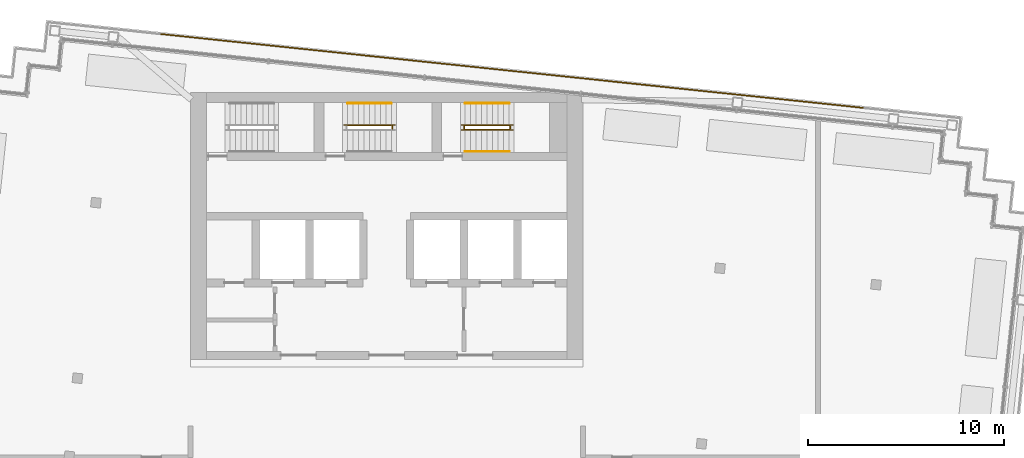
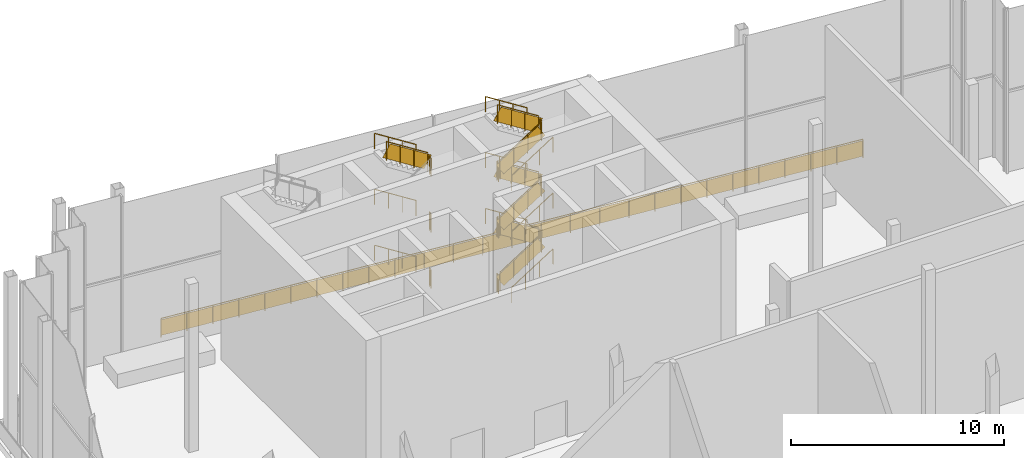
# One storey, part 13 of 14: 28 railings.
"""IFC4 building model written with IfcOpenShell, lengths in metres."""

from ifc_helpers import new_model, si_unit, direction, frame, origin, origin_2d, place, context, subcontext, project, spatial, rectangle, circle, extrude, material, type_object, element, save


model = new_model("IFC4")

# Units and contexts
model_context = context("Model", 3, precision=1e-05, world=origin(), true_north=direction((0.0, 1.0)))
body_context = subcontext(model_context, "Body", "Model", "MODEL_VIEW")
ifc_project = project(units=[si_unit("LENGTHUNIT", "METRE"), si_unit("AREAUNIT", "SQUARE_METRE"), si_unit("VOLUMEUNIT", "CUBIC_METRE"), si_unit("PLANEANGLEUNIT", "RADIAN"), si_unit("MASSUNIT", "GRAM", prefix="KILO")], contexts=[model_context])

# Site, building, storey
site_placement = place(None, origin())
site = spatial("IfcSite", under=ifc_project, at=site_placement, CompositionType="ELEMENT")
building_placement = place(site_placement, origin())
building = spatial("IfcBuilding", under=site, at=building_placement, Name="Vidyagriha Tower", CompositionType="ELEMENT")
storey_placement = place(building_placement, frame((0.0, 0.0, 281.89990234375)))
storey = spatial("IfcBuildingStorey", under=building, at=storey_placement, Name="L74", CompositionType="ELEMENT", Elevation=281.89990234375)

# Railings
ifc_material_1 = material(Name="Steel ASTM A500 Grade C black painted", Category="steel")
railing_type_1 = type_object("IfcRailingType", Name="Gallery guard 1100", PredefinedType="GUARDRAIL", material=ifc_material_1)
railing_1_placement = place(storey_placement, frame((-11.513916015625, 22.990234375, 0.0)))
element("IfcRailing", 1, at=railing_1_placement, inside=storey, type_object=railing_type_1, Name="Gallery guard L74 10", PredefinedType="GUARDRAIL", context=body_context, shape_type="SweptSolid", body=[
    extrude(circle(Radius=0.02490234375, at=origin_2d()), frame((0.0, 0.0, 1.0751953125), z_axis=(0.994521494219, -0.104532279878, 0.0), x_axis=(0.104532279878, 0.994521494219, 0.0)), (0.0, 0.0, 1.0), 12.0),
    extrude(circle(Radius=0.02001953125, at=origin_2d()), origin(), (0.0, 0.0, 1.0), 1.050048828125),
    extrude(circle(Radius=0.02001953125, at=origin_2d()), frame((1.325927734375, -0.139404296875, 0.0)), (0.0, 0.0, 1.0), 1.050048828125),
    extrude(circle(Radius=0.02001953125, at=origin_2d()), frame((2.652099609375, -0.27880859375, 0.0)), (0.0, 0.0, 1.0), 1.050048828125),
    extrude(circle(Radius=0.02001953125, at=origin_2d()), frame((3.97802734375, -0.418212890625, 0.0)), (0.0, 0.0, 1.0), 1.050048828125),
    extrude(circle(Radius=0.02001953125, at=origin_2d()), frame((5.30419921875, -0.5576171875, 0.0)), (0.0, 0.0, 1.0), 1.050048828125),
    extrude(circle(Radius=0.02001953125, at=origin_2d()), frame((6.630126953125, -0.69677734375, 0.0)), (0.0, 0.0, 1.0), 1.050048828125),
    extrude(circle(Radius=0.02001953125, at=origin_2d()), frame((7.956298828125, -0.836181640625, 0.0)), (0.0, 0.0, 1.0), 1.050048828125),
    extrude(circle(Radius=0.02001953125, at=origin_2d()), frame((9.2822265625, -0.9755859375, 0.0)), (0.0, 0.0, 1.0), 1.050048828125),
    extrude(circle(Radius=0.02001953125, at=origin_2d()), frame((10.6083984375, -1.114990234375, 0.0)), (0.0, 0.0, 1.0), 1.050048828125),
    extrude(circle(Radius=0.02001953125, at=origin_2d()), frame((11.934326171875, -1.25439453125, 0.0)), (0.0, 0.0, 1.0), 1.050048828125),
    extrude(rectangle(XDim=0.010009765625, YDim=0.900146484375, at=origin_2d()), frame((0.0, 0.0, 0.550048828125), z_axis=(0.994521494219, -0.104532279878, 0.0), x_axis=(0.104532279878, 0.994521494219, 0.0)), (0.0, 0.0, 1.0), 12.0),
])
railing_2_placement = place(storey_placement, frame((0.42041015625, 21.73583984375, 0.0)))
element("IfcRailing", 2, at=railing_2_placement, inside=storey, type_object=railing_type_1, Name="Gallery guard L74 11", PredefinedType="GUARDRAIL", context=body_context, shape_type="SweptSolid", body=[
    extrude(circle(Radius=0.02490234375, at=origin_2d()), frame((0.0, 0.0, 1.0751953125), z_axis=(0.994523386841, -0.104514271883, 0.0), x_axis=(0.104514271883, 0.994523386841, 0.0)), (0.0, 0.0, 1.0), 11.999755859375),
    extrude(circle(Radius=0.02001953125, at=origin_2d()), origin(), (0.0, 0.0, 1.0), 1.050048828125),
    extrude(circle(Radius=0.02001953125, at=origin_2d()), frame((1.49169921875, -0.15673828125, 0.0)), (0.0, 0.0, 1.0), 1.050048828125),
    extrude(circle(Radius=0.02001953125, at=origin_2d()), frame((2.9833984375, -0.3134765625, 0.0)), (0.0, 0.0, 1.0), 1.050048828125),
    extrude(circle(Radius=0.02001953125, at=origin_2d()), frame((4.475341796875, -0.47021484375, 0.0)), (0.0, 0.0, 1.0), 1.050048828125),
    extrude(circle(Radius=0.02001953125, at=origin_2d()), frame((5.967041015625, -0.626953125, 0.0)), (0.0, 0.0, 1.0), 1.050048828125),
    extrude(circle(Radius=0.02001953125, at=origin_2d()), frame((7.458740234375, -0.783935546875, 0.0)), (0.0, 0.0, 1.0), 1.050048828125),
    extrude(circle(Radius=0.02001953125, at=origin_2d()), frame((8.95068359375, -0.940673828125, 0.0)), (0.0, 0.0, 1.0), 1.050048828125),
    extrude(circle(Radius=0.02001953125, at=origin_2d()), frame((10.4423828125, -1.097412109375, 0.0)), (0.0, 0.0, 1.0), 1.050048828125),
    extrude(circle(Radius=0.02001953125, at=origin_2d()), frame((11.93408203125, -1.254150390625, 0.0)), (0.0, 0.0, 1.0), 1.050048828125),
    extrude(rectangle(XDim=0.010009765625, YDim=0.900146484375, at=origin_2d()), frame((0.0, 0.0, 0.550048828125), z_axis=(0.994523386841, -0.104514271883, 0.0), x_axis=(0.104514271883, 0.994523386841, 0.0)), (0.0, 0.0, 1.0), 11.999755859375),
])
railing_3_placement = place(storey_placement, frame((12.3544921875, 20.481689453125, 0.0)))
element("IfcRailing", 3, at=railing_3_placement, inside=storey, type_object=railing_type_1, Name="Gallery guard L74 12", PredefinedType="GUARDRAIL", context=body_context, shape_type="SweptSolid", body=[
    extrude(circle(Radius=0.02490234375, at=origin_2d()), frame((0.0, 0.0, 1.0751953125), z_axis=(0.994521494219, -0.104532279878, 0.0), x_axis=(0.104532279878, 0.994521494219, 0.0)), (0.0, 0.0, 1.0), 12.0),
    extrude(circle(Radius=0.02001953125, at=origin_2d()), origin(), (0.0, 0.0, 1.0), 1.050048828125),
    extrude(circle(Radius=0.02001953125, at=origin_2d()), frame((1.325927734375, -0.139404296875, 0.0)), (0.0, 0.0, 1.0), 1.050048828125),
    extrude(circle(Radius=0.02001953125, at=origin_2d()), frame((2.652099609375, -0.27880859375, 0.0)), (0.0, 0.0, 1.0), 1.050048828125),
    extrude(circle(Radius=0.02001953125, at=origin_2d()), frame((3.97802734375, -0.418212890625, 0.0)), (0.0, 0.0, 1.0), 1.050048828125),
    extrude(circle(Radius=0.02001953125, at=origin_2d()), frame((5.30419921875, -0.5576171875, 0.0)), (0.0, 0.0, 1.0), 1.050048828125),
    extrude(circle(Radius=0.02001953125, at=origin_2d()), frame((6.630126953125, -0.69677734375, 0.0)), (0.0, 0.0, 1.0), 1.050048828125),
    extrude(circle(Radius=0.02001953125, at=origin_2d()), frame((7.956298828125, -0.836181640625, 0.0)), (0.0, 0.0, 1.0), 1.050048828125),
    extrude(circle(Radius=0.02001953125, at=origin_2d()), frame((9.2822265625, -0.9755859375, 0.0)), (0.0, 0.0, 1.0), 1.050048828125),
    extrude(circle(Radius=0.02001953125, at=origin_2d()), frame((10.6083984375, -1.114990234375, 0.0)), (0.0, 0.0, 1.0), 1.050048828125),
    extrude(circle(Radius=0.02001953125, at=origin_2d()), frame((11.934326171875, -1.25439453125, 0.0)), (0.0, 0.0, 1.0), 1.050048828125),
    extrude(rectangle(XDim=0.010009765625, YDim=0.900146484375, at=origin_2d()), frame((0.0, 0.0, 0.550048828125), z_axis=(0.994521494219, -0.104532279878, 0.0), x_axis=(0.104532279878, 0.994521494219, 0.0)), (0.0, 0.0, 1.0), 12.0),
])
ifc_material_2 = material(Name="Steel ASTM A500 Grade C", Category="steel")
railing_type_2 = type_object("IfcRailingType", Name="Stair guard 1100 mm, steel balustrade", PredefinedType="GUARDRAIL", material=ifc_material_2)
for number, where, name in (
    (4, (0.2900390625, 18.14990234375, 1.60009765625), "L74 ST2 stair guard 2"),
    (5, (0.2900390625, 18.14990234375, 4.800048828125), "L74 ST2 stair guard 6"),
    (6, (0.2900390625, 18.14990234375, 8.0), "L74 ST2 stair guard 10"),
):
    element("IfcRailing", number, at=place(storey_placement, frame(where)), inside=storey, type_object=railing_type_2, Name=name, PredefinedType="GUARDRAIL", context=body_context, shape_type="SweptSolid", body=[
        extrude(circle(Radius=0.02392578125, at=origin_2d()), frame((0.0, 0.0, 1.076171875), z_axis=(0.0, 1.0, 0.0), x_axis=(-1.0, 0.0, 0.0)), (0.0, 0.0, 1.0), 0.150146484375),
        extrude(circle(Radius=0.02099609375, at=origin_2d()), origin(), (0.0, 0.0, 1.0), 1.052001953125),
        extrude(circle(Radius=0.02099609375, at=origin_2d()), frame((0.0, 0.150146484375, 0.0)), (0.0, 0.0, 1.0), 1.052001953125),
        extrude(rectangle(XDim=0.010009765625, YDim=0.902099609375, at=origin_2d()), frame((0.0, 0.0, 0.551025390625), z_axis=(0.0, 1.0, 0.0), x_axis=(-1.0, 0.0, 0.0)), (0.0, 0.0, 1.0), 0.150146484375),
    ])
railing_4_placement = place(storey_placement, frame((0.239990234375, 18.35009765625, 8.177978515625)))
element("IfcRailing", 7, at=railing_4_placement, inside=storey, type_object=railing_type_2, Name="L74 ST2 stair guard 11", PredefinedType="GUARDRAIL", context=body_context, shape_type="SweptSolid", body=[
    extrude(circle(Radius=0.02392578125, at=origin_2d()), frame((0.0, 0.0, 1.076171875), z_axis=(-0.8442293374, 0.0, 0.53598211339), x_axis=(0.0, -1.0, 0.0)), (0.0, 0.0, 1.0), 2.6533203125),
    extrude(circle(Radius=0.02099609375, at=origin_2d()), origin(), (0.0, 0.0, 1.0), 1.052001953125),
    extrude(circle(Radius=0.02099609375, at=origin_2d()), frame((-0.74658203125, 0.0, 0.47412109375)), (0.0, 0.0, 1.0), 1.052001953125),
    extrude(circle(Radius=0.02099609375, at=origin_2d()), frame((-1.493408203125, 0.0, 0.947998046875)), (0.0, 0.0, 1.0), 1.052001953125),
    extrude(circle(Radius=0.02099609375, at=origin_2d()), frame((-2.239990234375, 0.0, 1.422119140625)), (0.0, 0.0, 1.0), 1.052001953125),
    extrude(rectangle(XDim=0.010009765625, YDim=0.761474609375, at=origin_2d()), frame((0.0, 0.0, 0.551025390625), z_axis=(-0.8442293374, 0.0, 0.53598211339), x_axis=(0.0, -1.0, 0.0)), (0.0, 0.0, 1.0), 2.6533203125),
])
railing_5_placement = place(storey_placement, frame((4.0, 18.10009765625, 0.177978515625)))
element("IfcRailing", 8, at=railing_5_placement, inside=storey, type_object=railing_type_2, Name="L74 ST3 stair guard 1", PredefinedType="GUARDRAIL", context=body_context, shape_type="SweptSolid", body=[
    extrude(circle(Radius=0.02392578125, at=origin_2d()), frame((0.0, 0.0, 1.076171875), z_axis=(0.8442293374, 0.0, 0.53598211339), x_axis=(0.0, 1.0, 0.0)), (0.0, 0.0, 1.0), 2.6533203125),
    extrude(circle(Radius=0.02099609375, at=origin_2d()), origin(), (0.0, 0.0, 1.0), 1.052001953125),
    extrude(circle(Radius=0.02099609375, at=origin_2d()), frame((0.74658203125, 0.0, 0.47412109375)), (0.0, 0.0, 1.0), 1.052001953125),
    extrude(circle(Radius=0.02099609375, at=origin_2d()), frame((1.493408203125, 0.0, 0.947998046875)), (0.0, 0.0, 1.0), 1.052001953125),
    extrude(circle(Radius=0.02099609375, at=origin_2d()), frame((2.239990234375, 0.0, 1.422119140625)), (0.0, 0.0, 1.0), 1.052001953125),
    extrude(rectangle(XDim=0.010009765625, YDim=0.761474609375, at=origin_2d()), frame((0.0, 0.0, 0.551025390625), z_axis=(0.8442293374, 0.0, 0.53598211339), x_axis=(0.0, 1.0, 0.0)), (0.0, 0.0, 1.0), 2.6533203125),
])
railing_6_placement = place(storey_placement, frame((6.2900390625, 18.14990234375, 1.60009765625)))
element("IfcRailing", 9, at=railing_6_placement, inside=storey, type_object=railing_type_2, Name="L74 ST3 stair guard 2", PredefinedType="GUARDRAIL", context=body_context, shape_type="SweptSolid", body=[
    extrude(circle(Radius=0.02392578125, at=origin_2d()), frame((0.0, 0.0, 1.076171875), z_axis=(0.0, 1.0, 0.0), x_axis=(-1.0, 0.0, 0.0)), (0.0, 0.0, 1.0), 0.150146484375),
    extrude(circle(Radius=0.02099609375, at=origin_2d()), origin(), (0.0, 0.0, 1.0), 1.052001953125),
    extrude(circle(Radius=0.02099609375, at=origin_2d()), frame((0.0, 0.150146484375, 0.0)), (0.0, 0.0, 1.0), 1.052001953125),
    extrude(rectangle(XDim=0.010009765625, YDim=0.902099609375, at=origin_2d()), frame((0.0, 0.0, 0.551025390625), z_axis=(0.0, 1.0, 0.0), x_axis=(-1.0, 0.0, 0.0)), (0.0, 0.0, 1.0), 0.150146484375),
])
railing_7_placement = place(storey_placement, frame((6.239990234375, 18.35009765625, 1.77783203125)))
element("IfcRailing", 10, at=railing_7_placement, inside=storey, type_object=railing_type_2, Name="L74 ST3 stair guard 3", PredefinedType="GUARDRAIL", context=body_context, shape_type="SweptSolid", body=[
    extrude(circle(Radius=0.02392578125, at=origin_2d()), frame((0.0, 0.0, 1.076171875), z_axis=(-0.84418770128, 0.0, 0.536047689118), x_axis=(0.0, -1.0, 0.0)), (0.0, 0.0, 1.0), 2.6533203125),
    extrude(circle(Radius=0.02099609375, at=origin_2d()), origin(), (0.0, 0.0, 1.0), 1.052001953125),
    extrude(circle(Radius=0.02099609375, at=origin_2d()), frame((-0.74658203125, 0.0, 0.47412109375)), (0.0, 0.0, 1.0), 1.052001953125),
    extrude(circle(Radius=0.02099609375, at=origin_2d()), frame((-1.493408203125, 0.0, 0.9482421875)), (0.0, 0.0, 1.0), 1.052001953125),
    extrude(circle(Radius=0.02099609375, at=origin_2d()), frame((-2.239990234375, 0.0, 1.42236328125)), (0.0, 0.0, 1.0), 1.052001953125),
    extrude(rectangle(XDim=0.010009765625, YDim=0.761474609375, at=origin_2d()), frame((0.0, 0.0, 0.551025390625), z_axis=(-0.84418770128, 0.0, 0.536047689118), x_axis=(0.0, -1.0, 0.0)), (0.0, 0.0, 1.0), 2.6533203125),
])
railing_8_placement = place(storey_placement, frame((3.949951171875, 18.14990234375, 3.2001953125)))
element("IfcRailing", 11, at=railing_8_placement, inside=storey, type_object=railing_type_2, Name="L74 ST3 stair guard 4", PredefinedType="GUARDRAIL", context=body_context, shape_type="SweptSolid", body=[
    extrude(circle(Radius=0.02392578125, at=origin_2d()), frame((0.0, 0.0, 1.076171875), z_axis=(0.0, 1.0, 0.0), x_axis=(-1.0, 0.0, 0.0)), (0.0, 0.0, 1.0), 0.150146484375),
    extrude(circle(Radius=0.02099609375, at=origin_2d()), origin(), (0.0, 0.0, 1.0), 1.052001953125),
    extrude(circle(Radius=0.02099609375, at=origin_2d()), frame((0.0, 0.150146484375, 0.0)), (0.0, 0.0, 1.0), 1.052001953125),
    extrude(rectangle(XDim=0.010009765625, YDim=0.902099609375, at=origin_2d()), frame((0.0, 0.0, 0.551025390625), z_axis=(0.0, 1.0, 0.0), x_axis=(-1.0, 0.0, 0.0)), (0.0, 0.0, 1.0), 0.150146484375),
])
railing_9_placement = place(storey_placement, frame((4.0, 18.10009765625, 3.3779296875)))
element("IfcRailing", 12, at=railing_9_placement, inside=storey, type_object=railing_type_2, Name="L74 ST3 stair guard 5", PredefinedType="GUARDRAIL", context=body_context, shape_type="SweptSolid", body=[
    extrude(circle(Radius=0.02392578125, at=origin_2d()), frame((0.0, 0.0, 1.076171875), z_axis=(0.8442293374, 0.0, 0.53598211339), x_axis=(0.0, 1.0, 0.0)), (0.0, 0.0, 1.0), 2.6533203125),
    extrude(circle(Radius=0.02099609375, at=origin_2d()), origin(), (0.0, 0.0, 1.0), 1.052001953125),
    extrude(circle(Radius=0.02099609375, at=origin_2d()), frame((0.74658203125, 0.0, 0.47412109375)), (0.0, 0.0, 1.0), 1.052001953125),
    extrude(circle(Radius=0.02099609375, at=origin_2d()), frame((1.493408203125, 0.0, 0.947998046875)), (0.0, 0.0, 1.0), 1.052001953125),
    extrude(circle(Radius=0.02099609375, at=origin_2d()), frame((2.239990234375, 0.0, 1.422119140625)), (0.0, 0.0, 1.0), 1.052001953125),
    extrude(rectangle(XDim=0.010009765625, YDim=0.761474609375, at=origin_2d()), frame((0.0, 0.0, 0.551025390625), z_axis=(0.8442293374, 0.0, 0.53598211339), x_axis=(0.0, 1.0, 0.0)), (0.0, 0.0, 1.0), 2.6533203125),
])
railing_10_placement = place(storey_placement, frame((6.2900390625, 18.14990234375, 4.800048828125)))
element("IfcRailing", 13, at=railing_10_placement, inside=storey, type_object=railing_type_2, Name="L74 ST3 stair guard 6", PredefinedType="GUARDRAIL", context=body_context, shape_type="SweptSolid", body=[
    extrude(circle(Radius=0.02392578125, at=origin_2d()), frame((0.0, 0.0, 1.076171875), z_axis=(0.0, 1.0, 0.0), x_axis=(-1.0, 0.0, 0.0)), (0.0, 0.0, 1.0), 0.150146484375),
    extrude(circle(Radius=0.02099609375, at=origin_2d()), origin(), (0.0, 0.0, 1.0), 1.052001953125),
    extrude(circle(Radius=0.02099609375, at=origin_2d()), frame((0.0, 0.150146484375, 0.0)), (0.0, 0.0, 1.0), 1.052001953125),
    extrude(rectangle(XDim=0.010009765625, YDim=0.902099609375, at=origin_2d()), frame((0.0, 0.0, 0.551025390625), z_axis=(0.0, 1.0, 0.0), x_axis=(-1.0, 0.0, 0.0)), (0.0, 0.0, 1.0), 0.150146484375),
])
railing_11_placement = place(storey_placement, frame((6.239990234375, 18.35009765625, 4.977783203125)))
element("IfcRailing", 14, at=railing_11_placement, inside=storey, type_object=railing_type_2, Name="L74 ST3 stair guard 7", PredefinedType="GUARDRAIL", context=body_context, shape_type="SweptSolid", body=[
    extrude(circle(Radius=0.02392578125, at=origin_2d()), frame((0.0, 0.0, 1.076171875), z_axis=(-0.84418770128, 0.0, 0.536047689118), x_axis=(0.0, -1.0, 0.0)), (0.0, 0.0, 1.0), 2.6533203125),
    extrude(circle(Radius=0.02099609375, at=origin_2d()), origin(), (0.0, 0.0, 1.0), 1.052001953125),
    extrude(circle(Radius=0.02099609375, at=origin_2d()), frame((-0.74658203125, 0.0, 0.47412109375)), (0.0, 0.0, 1.0), 1.052001953125),
    extrude(circle(Radius=0.02099609375, at=origin_2d()), frame((-1.493408203125, 0.0, 0.9482421875)), (0.0, 0.0, 1.0), 1.052001953125),
    extrude(circle(Radius=0.02099609375, at=origin_2d()), frame((-2.239990234375, 0.0, 1.42236328125)), (0.0, 0.0, 1.0), 1.052001953125),
    extrude(rectangle(XDim=0.010009765625, YDim=0.761474609375, at=origin_2d()), frame((0.0, 0.0, 0.551025390625), z_axis=(-0.84418770128, 0.0, 0.536047689118), x_axis=(0.0, -1.0, 0.0)), (0.0, 0.0, 1.0), 2.6533203125),
])
railing_12_placement = place(storey_placement, frame((3.949951171875, 18.14990234375, 6.400146484375)))
element("IfcRailing", 15, at=railing_12_placement, inside=storey, type_object=railing_type_2, Name="L74 ST3 stair guard 8", PredefinedType="GUARDRAIL", context=body_context, shape_type="SweptSolid", body=[
    extrude(circle(Radius=0.02392578125, at=origin_2d()), frame((0.0, 0.0, 1.076171875), z_axis=(0.0, 1.0, 0.0), x_axis=(-1.0, 0.0, 0.0)), (0.0, 0.0, 1.0), 0.150146484375),
    extrude(circle(Radius=0.02099609375, at=origin_2d()), origin(), (0.0, 0.0, 1.0), 1.052001953125),
    extrude(circle(Radius=0.02099609375, at=origin_2d()), frame((0.0, 0.150146484375, 0.0)), (0.0, 0.0, 1.0), 1.052001953125),
    extrude(rectangle(XDim=0.010009765625, YDim=0.902099609375, at=origin_2d()), frame((0.0, 0.0, 0.551025390625), z_axis=(0.0, 1.0, 0.0), x_axis=(-1.0, 0.0, 0.0)), (0.0, 0.0, 1.0), 0.150146484375),
])
railing_13_placement = place(storey_placement, frame((4.0, 18.10009765625, 6.577880859375)))
element("IfcRailing", 16, at=railing_13_placement, inside=storey, type_object=railing_type_2, Name="L74 ST3 stair guard 9", PredefinedType="GUARDRAIL", context=body_context, shape_type="SweptSolid", body=[
    extrude(circle(Radius=0.02392578125, at=origin_2d()), frame((0.0, 0.0, 1.076171875), z_axis=(0.8442293374, 0.0, 0.53598211339), x_axis=(0.0, 1.0, 0.0)), (0.0, 0.0, 1.0), 2.6533203125),
    extrude(circle(Radius=0.02099609375, at=origin_2d()), origin(), (0.0, 0.0, 1.0), 1.052001953125),
    extrude(circle(Radius=0.02099609375, at=origin_2d()), frame((0.74658203125, 0.0, 0.47412109375)), (0.0, 0.0, 1.0), 1.052001953125),
    extrude(circle(Radius=0.02099609375, at=origin_2d()), frame((1.493408203125, 0.0, 0.947998046875)), (0.0, 0.0, 1.0), 1.052001953125),
    extrude(circle(Radius=0.02099609375, at=origin_2d()), frame((2.239990234375, 0.0, 1.422119140625)), (0.0, 0.0, 1.0), 1.052001953125),
    extrude(rectangle(XDim=0.010009765625, YDim=0.761474609375, at=origin_2d()), frame((0.0, 0.0, 0.551025390625), z_axis=(0.8442293374, 0.0, 0.53598211339), x_axis=(0.0, 1.0, 0.0)), (0.0, 0.0, 1.0), 2.6533203125),
])
railing_14_placement = place(storey_placement, frame((6.2900390625, 18.14990234375, 8.0)))
element("IfcRailing", 17, at=railing_14_placement, inside=storey, type_object=railing_type_2, Name="L74 ST3 stair guard 10", PredefinedType="GUARDRAIL", context=body_context, shape_type="SweptSolid", body=[
    extrude(circle(Radius=0.02392578125, at=origin_2d()), frame((0.0, 0.0, 1.076171875), z_axis=(0.0, 1.0, 0.0), x_axis=(-1.0, 0.0, 0.0)), (0.0, 0.0, 1.0), 0.150146484375),
    extrude(circle(Radius=0.02099609375, at=origin_2d()), origin(), (0.0, 0.0, 1.0), 1.052001953125),
    extrude(circle(Radius=0.02099609375, at=origin_2d()), frame((0.0, 0.150146484375, 0.0)), (0.0, 0.0, 1.0), 1.052001953125),
    extrude(rectangle(XDim=0.010009765625, YDim=0.902099609375, at=origin_2d()), frame((0.0, 0.0, 0.551025390625), z_axis=(0.0, 1.0, 0.0), x_axis=(-1.0, 0.0, 0.0)), (0.0, 0.0, 1.0), 0.150146484375),
])
railing_15_placement = place(storey_placement, frame((6.239990234375, 18.35009765625, 8.177978515625)))
element("IfcRailing", 18, at=railing_15_placement, inside=storey, type_object=railing_type_2, Name="L74 ST3 stair guard 11", PredefinedType="GUARDRAIL", context=body_context, shape_type="SweptSolid", body=[
    extrude(circle(Radius=0.02392578125, at=origin_2d()), frame((0.0, 0.0, 1.076171875), z_axis=(-0.8442293374, 0.0, 0.53598211339), x_axis=(0.0, -1.0, 0.0)), (0.0, 0.0, 1.0), 2.6533203125),
    extrude(circle(Radius=0.02099609375, at=origin_2d()), origin(), (0.0, 0.0, 1.0), 1.052001953125),
    extrude(circle(Radius=0.02099609375, at=origin_2d()), frame((-0.74658203125, 0.0, 0.47412109375)), (0.0, 0.0, 1.0), 1.052001953125),
    extrude(circle(Radius=0.02099609375, at=origin_2d()), frame((-1.493408203125, 0.0, 0.947998046875)), (0.0, 0.0, 1.0), 1.052001953125),
    extrude(circle(Radius=0.02099609375, at=origin_2d()), frame((-2.239990234375, 0.0, 1.422119140625)), (0.0, 0.0, 1.0), 1.052001953125),
    extrude(rectangle(XDim=0.010009765625, YDim=0.761474609375, at=origin_2d()), frame((0.0, 0.0, 0.551025390625), z_axis=(-0.8442293374, 0.0, 0.53598211339), x_axis=(0.0, -1.0, 0.0)), (0.0, 0.0, 1.0), 2.6533203125),
])
railing_16_placement = place(storey_placement, frame((3.949951171875, 18.14990234375, 0.0)))
element("IfcRailing", 19, at=railing_16_placement, inside=storey, type_object=railing_type_2, Name="L74 ST3 stair guard 12", PredefinedType="GUARDRAIL", context=body_context, shape_type="SweptSolid", body=[
    extrude(circle(Radius=0.02392578125, at=origin_2d()), frame((0.0, 0.0, 1.076171875), z_axis=(0.0, 1.0, 0.0), x_axis=(-1.0, 0.0, 0.0)), (0.0, 0.0, 1.0), 0.150146484375),
    extrude(circle(Radius=0.02099609375, at=origin_2d()), origin(), (0.0, 0.0, 1.0), 1.052001953125),
    extrude(circle(Radius=0.02099609375, at=origin_2d()), frame((0.0, 0.150146484375, 0.0)), (0.0, 0.0, 1.0), 1.052001953125),
    extrude(rectangle(XDim=0.010009765625, YDim=0.902099609375, at=origin_2d()), frame((0.0, 0.0, 0.551025390625), z_axis=(0.0, 1.0, 0.0), x_axis=(-1.0, 0.0, 0.0)), (0.0, 0.0, 1.0), 0.150146484375),
])
ifc_material_3 = material(Name="Steel ASTM A500 Grade C", Category="steel")
railing_type_3 = type_object("IfcRailingType", Name="Stair handrail 900 mm, steel", PredefinedType="HANDRAIL", material=ifc_material_3)
for number, where, name in (
    (20, (0.239990234375, 19.449951171875, 1.77783203125), "L74 ST2 stair handrail 2"),
    (21, (0.239990234375, 19.449951171875, 4.977783203125), "L74 ST2 stair handrail 4"),
):
    element("IfcRailing", number, at=place(storey_placement, frame(where)), inside=storey, type_object=railing_type_3, Name=name, PredefinedType="HANDRAIL", context=body_context, shape_type="SweptSolid", body=[
        extrude(circle(Radius=0.02392578125, at=origin_2d()), frame((0.0, 0.0, 0.8759765625), z_axis=(-0.84418770128, 0.0, 0.536047689118), x_axis=(0.0, -1.0, 0.0)), (0.0, 0.0, 1.0), 2.6533203125),
        extrude(circle(Radius=0.02099609375, at=origin_2d()), origin(), (0.0, 0.0, 1.0), 0.851806640625),
        extrude(circle(Radius=0.02099609375, at=origin_2d()), frame((-0.74658203125, 0.0, 0.47412109375)), (0.0, 0.0, 1.0), 0.851806640625),
        extrude(circle(Radius=0.02099609375, at=origin_2d()), frame((-1.493408203125, 0.0, 0.9482421875)), (0.0, 0.0, 1.0), 0.851806640625),
        extrude(circle(Radius=0.02099609375, at=origin_2d()), frame((-2.239990234375, 0.0, 1.42236328125)), (0.0, 0.0, 1.0), 0.851806640625),
    ])
railing_17_placement = place(storey_placement, frame((0.239990234375, 19.449951171875, 8.177978515625)))
element("IfcRailing", 22, at=railing_17_placement, inside=storey, type_object=railing_type_3, Name="L74 ST2 stair handrail 6", PredefinedType="HANDRAIL", context=body_context, shape_type="SweptSolid", body=[
    extrude(circle(Radius=0.02392578125, at=origin_2d()), frame((0.0, 0.0, 0.8759765625), z_axis=(-0.8442293374, 0.0, 0.53598211339), x_axis=(0.0, -1.0, 0.0)), (0.0, 0.0, 1.0), 2.6533203125),
    extrude(circle(Radius=0.02099609375, at=origin_2d()), origin(), (0.0, 0.0, 1.0), 0.851806640625),
    extrude(circle(Radius=0.02099609375, at=origin_2d()), frame((-0.74658203125, 0.0, 0.47412109375)), (0.0, 0.0, 1.0), 0.851806640625),
    extrude(circle(Radius=0.02099609375, at=origin_2d()), frame((-1.493408203125, 0.0, 0.947998046875)), (0.0, 0.0, 1.0), 0.851806640625),
    extrude(circle(Radius=0.02099609375, at=origin_2d()), frame((-2.239990234375, 0.0, 1.422119140625)), (0.0, 0.0, 1.0), 0.851806640625),
])
railing_18_placement = place(storey_placement, frame((4.0, 17.0, 0.177978515625)))
element("IfcRailing", 23, at=railing_18_placement, inside=storey, type_object=railing_type_3, Name="L74 ST3 stair handrail 1", PredefinedType="HANDRAIL", context=body_context, shape_type="SweptSolid", body=[
    extrude(circle(Radius=0.02392578125, at=origin_2d()), frame((0.0, 0.0, 0.8759765625), z_axis=(0.8442293374, 0.0, 0.53598211339), x_axis=(0.0, 1.0, 0.0)), (0.0, 0.0, 1.0), 2.6533203125),
    extrude(circle(Radius=0.02099609375, at=origin_2d()), origin(), (0.0, 0.0, 1.0), 0.851806640625),
    extrude(circle(Radius=0.02099609375, at=origin_2d()), frame((0.74658203125, 0.0, 0.47412109375)), (0.0, 0.0, 1.0), 0.851806640625),
    extrude(circle(Radius=0.02099609375, at=origin_2d()), frame((1.493408203125, 0.0, 0.947998046875)), (0.0, 0.0, 1.0), 0.851806640625),
    extrude(circle(Radius=0.02099609375, at=origin_2d()), frame((2.239990234375, 0.0, 1.422119140625)), (0.0, 0.0, 1.0), 0.851806640625),
])
railing_19_placement = place(storey_placement, frame((6.239990234375, 19.449951171875, 1.77783203125)))
element("IfcRailing", 24, at=railing_19_placement, inside=storey, type_object=railing_type_3, Name="L74 ST3 stair handrail 2", PredefinedType="HANDRAIL", context=body_context, shape_type="SweptSolid", body=[
    extrude(circle(Radius=0.02392578125, at=origin_2d()), frame((0.0, 0.0, 0.8759765625), z_axis=(-0.84418770128, 0.0, 0.536047689118), x_axis=(0.0, -1.0, 0.0)), (0.0, 0.0, 1.0), 2.6533203125),
    extrude(circle(Radius=0.02099609375, at=origin_2d()), origin(), (0.0, 0.0, 1.0), 0.851806640625),
    extrude(circle(Radius=0.02099609375, at=origin_2d()), frame((-0.74658203125, 0.0, 0.47412109375)), (0.0, 0.0, 1.0), 0.851806640625),
    extrude(circle(Radius=0.02099609375, at=origin_2d()), frame((-1.493408203125, 0.0, 0.9482421875)), (0.0, 0.0, 1.0), 0.851806640625),
    extrude(circle(Radius=0.02099609375, at=origin_2d()), frame((-2.239990234375, 0.0, 1.42236328125)), (0.0, 0.0, 1.0), 0.851806640625),
])
railing_20_placement = place(storey_placement, frame((4.0, 17.0, 3.3779296875)))
element("IfcRailing", 25, at=railing_20_placement, inside=storey, type_object=railing_type_3, Name="L74 ST3 stair handrail 3", PredefinedType="HANDRAIL", context=body_context, shape_type="SweptSolid", body=[
    extrude(circle(Radius=0.02392578125, at=origin_2d()), frame((0.0, 0.0, 0.8759765625), z_axis=(0.8442293374, 0.0, 0.53598211339), x_axis=(0.0, 1.0, 0.0)), (0.0, 0.0, 1.0), 2.6533203125),
    extrude(circle(Radius=0.02099609375, at=origin_2d()), origin(), (0.0, 0.0, 1.0), 0.851806640625),
    extrude(circle(Radius=0.02099609375, at=origin_2d()), frame((0.74658203125, 0.0, 0.47412109375)), (0.0, 0.0, 1.0), 0.851806640625),
    extrude(circle(Radius=0.02099609375, at=origin_2d()), frame((1.493408203125, 0.0, 0.947998046875)), (0.0, 0.0, 1.0), 0.851806640625),
    extrude(circle(Radius=0.02099609375, at=origin_2d()), frame((2.239990234375, 0.0, 1.422119140625)), (0.0, 0.0, 1.0), 0.851806640625),
])
railing_21_placement = place(storey_placement, frame((6.239990234375, 19.449951171875, 4.977783203125)))
element("IfcRailing", 26, at=railing_21_placement, inside=storey, type_object=railing_type_3, Name="L74 ST3 stair handrail 4", PredefinedType="HANDRAIL", context=body_context, shape_type="SweptSolid", body=[
    extrude(circle(Radius=0.02392578125, at=origin_2d()), frame((0.0, 0.0, 0.8759765625), z_axis=(-0.84418770128, 0.0, 0.536047689118), x_axis=(0.0, -1.0, 0.0)), (0.0, 0.0, 1.0), 2.6533203125),
    extrude(circle(Radius=0.02099609375, at=origin_2d()), origin(), (0.0, 0.0, 1.0), 0.851806640625),
    extrude(circle(Radius=0.02099609375, at=origin_2d()), frame((-0.74658203125, 0.0, 0.47412109375)), (0.0, 0.0, 1.0), 0.851806640625),
    extrude(circle(Radius=0.02099609375, at=origin_2d()), frame((-1.493408203125, 0.0, 0.9482421875)), (0.0, 0.0, 1.0), 0.851806640625),
    extrude(circle(Radius=0.02099609375, at=origin_2d()), frame((-2.239990234375, 0.0, 1.42236328125)), (0.0, 0.0, 1.0), 0.851806640625),
])
railing_22_placement = place(storey_placement, frame((4.0, 17.0, 6.577880859375)))
element("IfcRailing", 27, at=railing_22_placement, inside=storey, type_object=railing_type_3, Name="L74 ST3 stair handrail 5", PredefinedType="HANDRAIL", context=body_context, shape_type="SweptSolid", body=[
    extrude(circle(Radius=0.02392578125, at=origin_2d()), frame((0.0, 0.0, 0.8759765625), z_axis=(0.8442293374, 0.0, 0.53598211339), x_axis=(0.0, 1.0, 0.0)), (0.0, 0.0, 1.0), 2.6533203125),
    extrude(circle(Radius=0.02099609375, at=origin_2d()), origin(), (0.0, 0.0, 1.0), 0.851806640625),
    extrude(circle(Radius=0.02099609375, at=origin_2d()), frame((0.74658203125, 0.0, 0.47412109375)), (0.0, 0.0, 1.0), 0.851806640625),
    extrude(circle(Radius=0.02099609375, at=origin_2d()), frame((1.493408203125, 0.0, 0.947998046875)), (0.0, 0.0, 1.0), 0.851806640625),
    extrude(circle(Radius=0.02099609375, at=origin_2d()), frame((2.239990234375, 0.0, 1.422119140625)), (0.0, 0.0, 1.0), 0.851806640625),
])
railing_23_placement = place(storey_placement, frame((6.239990234375, 19.449951171875, 8.177978515625)))
element("IfcRailing", 28, at=railing_23_placement, inside=storey, type_object=railing_type_3, Name="L74 ST3 stair handrail 6", PredefinedType="HANDRAIL", context=body_context, shape_type="SweptSolid", body=[
    extrude(circle(Radius=0.02392578125, at=origin_2d()), frame((0.0, 0.0, 0.8759765625), z_axis=(-0.8442293374, 0.0, 0.53598211339), x_axis=(0.0, -1.0, 0.0)), (0.0, 0.0, 1.0), 2.6533203125),
    extrude(circle(Radius=0.02099609375, at=origin_2d()), origin(), (0.0, 0.0, 1.0), 0.851806640625),
    extrude(circle(Radius=0.02099609375, at=origin_2d()), frame((-0.74658203125, 0.0, 0.47412109375)), (0.0, 0.0, 1.0), 0.851806640625),
    extrude(circle(Radius=0.02099609375, at=origin_2d()), frame((-1.493408203125, 0.0, 0.947998046875)), (0.0, 0.0, 1.0), 0.851806640625),
    extrude(circle(Radius=0.02099609375, at=origin_2d()), frame((-2.239990234375, 0.0, 1.422119140625)), (0.0, 0.0, 1.0), 0.851806640625),
])

save(model, "model.ifc")
